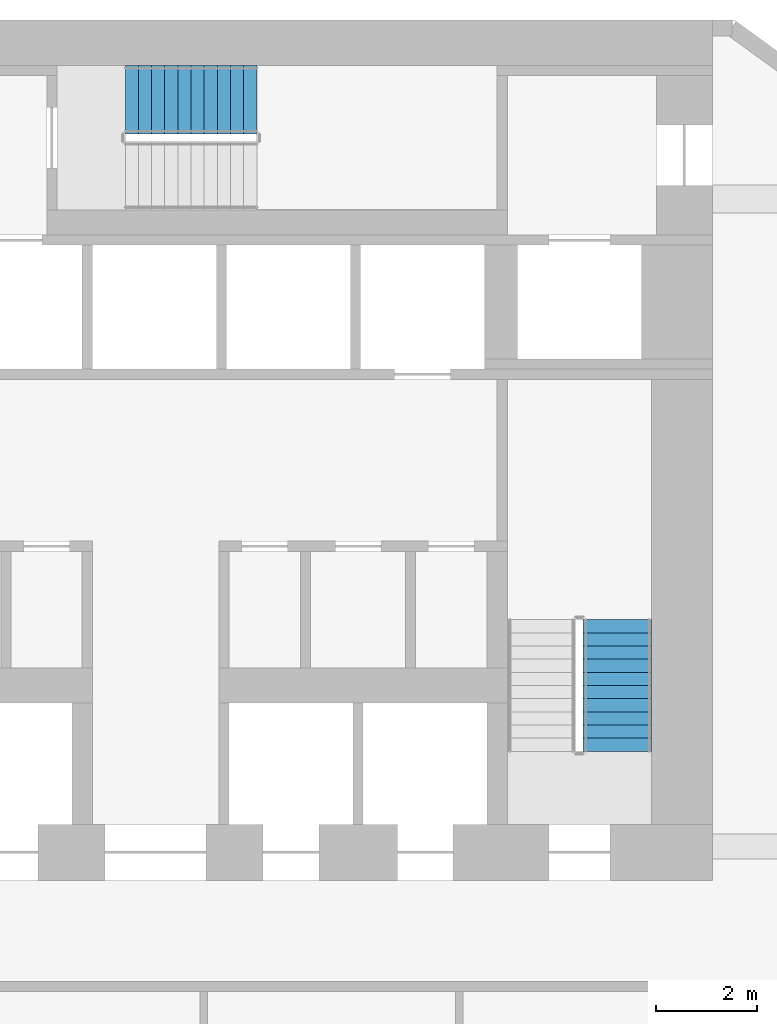
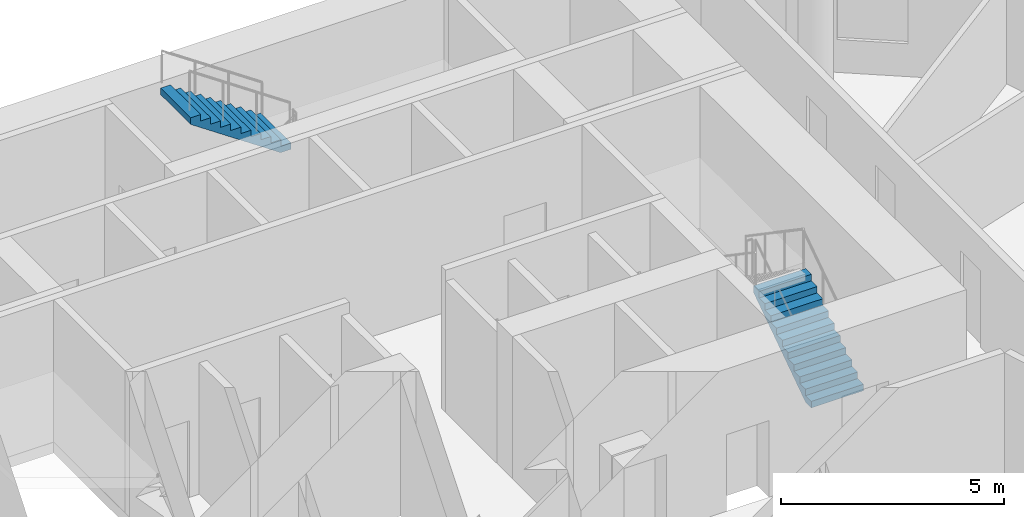
# One storey, part 7 of 9: 2 stair flights, 2 elements without a shape of their own.
"""IFC4 building model written with IfcOpenShell, lengths in metres."""

from ifc_helpers import new_model, si_unit, direction, frame, origin, place, context, subcontext, project, spatial, polyline, outline, extrude, material, layer, layer_set, type_object, element, aggregate, save


model = new_model("IFC4")

# Units and contexts
model_context = context("Model", 3, precision=1e-05, world=origin(), true_north=direction((0.0, 1.0)))
body_context = subcontext(model_context, "Body", "Model", "MODEL_VIEW")
ifc_project = project(units=[si_unit("LENGTHUNIT", "METRE"), si_unit("AREAUNIT", "SQUARE_METRE"), si_unit("VOLUMEUNIT", "CUBIC_METRE"), si_unit("PLANEANGLEUNIT", "RADIAN"), si_unit("MASSUNIT", "GRAM", prefix="KILO")], contexts=[model_context])

# Site, building, storey
site_placement = place(None, origin())
site = spatial("IfcSite", under=ifc_project, at=site_placement, CompositionType="ELEMENT")
building_placement = place(site_placement, origin())
building = spatial("IfcBuilding", under=site, at=building_placement, Name="White Candle Pilgrim Tower", CompositionType="ELEMENT")
storey_placement = place(building_placement, frame((0.0, 0.0, 129.800048828125)))
storey = spatial("IfcBuildingStorey", under=building, at=storey_placement, Name="L29", CompositionType="ELEMENT", Elevation=129.800048828125)

# Stair, stair flight
ifc_material = material(Name="Concrete C40/50", Category="concrete")
stair_type_1 = type_object("IfcStairType", Name="Exit stair 2 flight width 1350 mm", PredefinedType="HALF_TURN_STAIR", material=ifc_material)
stair_1_placement = place(storey_placement, origin())
stair_1 = element("IfcStair", 1, at=stair_1_placement, inside=storey, type_object=stair_type_1, Name="L29 stair 2", PredefinedType="NOTDEFINED")
ifc_layer = layer(ifc_material, 0.14990234375)
ifc_layer_set = layer_set([ifc_layer], Name="Stair flight Concrete C40/50")
stair_flight_type = type_object("IfcStairFlightType", Name="Stair flight Concrete C40/50", PredefinedType="STRAIGHT", material=ifc_layer_set)
stair_flight_1_placement = place(storey_placement, frame((79.125, 73.550048828125, 0.0), z_axis=(0.0, 0.0, 1.0), x_axis=(0.0, 1.0, 0.0)))
stair_flight_1 = element("IfcStairFlight", 2, at=stair_flight_1_placement, type_object=stair_flight_type, Name="ST2 flight 1", NumberOfRisers=11, NumberOfTreads=10, PredefinedType="NOTDEFINED", RiserHeight=0.177272727, TreadLength=0.26, context=body_context, shape_type="SweptSolid", body=[
    extrude(outline(polyline([(0.0, 0.0), (0.0, 0.17724609375), (0.260009765625, 0.17724609375), (0.260009765625, 0.3544921875), (0.52001953125, 0.3544921875), (0.52001953125, 0.53173828125), (0.780029296875, 0.53173828125), (0.780029296875, 0.708984375), (1.0400390625, 0.708984375), (1.0400390625, 0.886474609375), (1.300048828125, 0.886474609375), (1.300048828125, 1.063720703125), (1.56005859375, 1.063720703125), (1.56005859375, 1.240966796875), (1.820068359375, 1.240966796875), (1.820068359375, 1.418212890625), (2.080078125, 1.418212890625), (2.080078125, 1.595458984375), (2.340087890625, 1.595458984375), (2.340087890625, 1.772705078125), (2.60009765625, 1.772705078125), (2.60009765625, 1.949951171875), (2.60009765625, 1.59130859375), (0.26611328125, 0.0), (0.0, 0.0)])), frame((0.0, 0.675048828125, 0.0), z_axis=(0.0, -1.0, 0.0), x_axis=(1.0, 0.0, 0.0)), (0.0, 0.0, 1.0), 1.35009765625),
])
aggregate(stair_1, [stair_flight_1])

stair_type_2 = type_object("IfcStairType", Name="Exit stair 3 flight width 1350 mm", PredefinedType="HALF_TURN_STAIR", material=ifc_material)
stair_2_placement = place(storey_placement, origin())
stair_2 = element("IfcStair", 3, at=stair_2_placement, inside=storey, type_object=stair_type_2, Name="L29 stair 3", PredefinedType="NOTDEFINED")
stair_flight_2_placement = place(storey_placement, frame((72.0, 86.425048828125, 1.949951171875), z_axis=(0.0, 0.0, 1.0), x_axis=(-1.0, 0.0, 0.0)))
stair_flight_2 = element("IfcStairFlight", 4, at=stair_flight_2_placement, type_object=stair_flight_type, Name="ST3 flight 2", NumberOfRisers=11, NumberOfTreads=10, PredefinedType="NOTDEFINED", RiserHeight=0.177272727, TreadLength=0.26, context=body_context, shape_type="SweptSolid", body=[
    extrude(outline(polyline([(0.0, 0.0), (0.0, 0.17724609375), (0.260009765625, 0.17724609375), (0.260009765625, 0.3544921875), (0.52001953125, 0.3544921875), (0.52001953125, 0.53173828125), (0.780029296875, 0.53173828125), (0.780029296875, 0.708984375), (1.0400390625, 0.708984375), (1.0400390625, 0.886474609375), (1.300048828125, 0.886474609375), (1.300048828125, 1.063720703125), (1.56005859375, 1.063720703125), (1.56005859375, 1.240966796875), (1.820068359375, 1.240966796875), (1.820068359375, 1.418212890625), (2.080078125, 1.418212890625), (2.080078125, 1.595458984375), (2.340087890625, 1.595458984375), (2.340087890625, 1.772705078125), (2.60009765625, 1.772705078125), (2.60009765625, 1.949951171875), (2.60009765625, 1.59130859375), (0.26611328125, 0.0), (0.0, 0.0)])), frame((0.0, 0.675048828125, 0.0), z_axis=(0.0, -1.0, 0.0), x_axis=(1.0, 0.0, 0.0)), (0.0, 0.0, 1.0), 1.35009765625),
])
aggregate(stair_2, [stair_flight_2])

save(model, "model.ifc")
